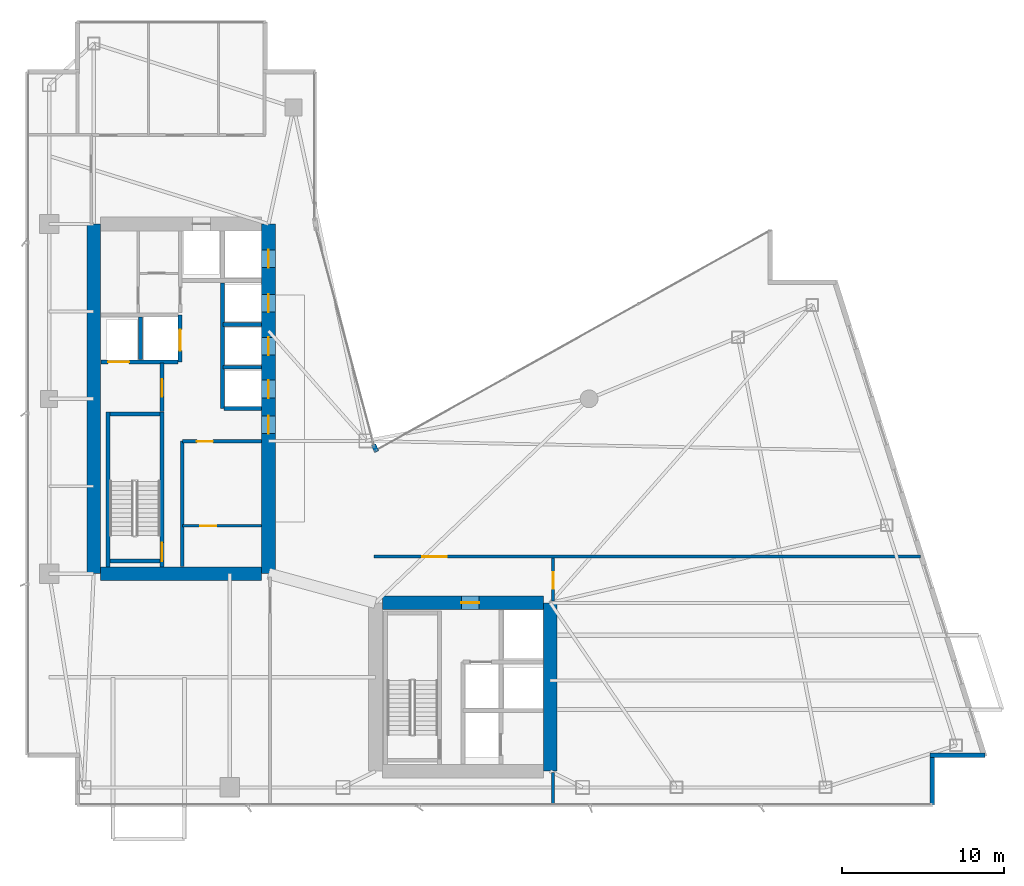
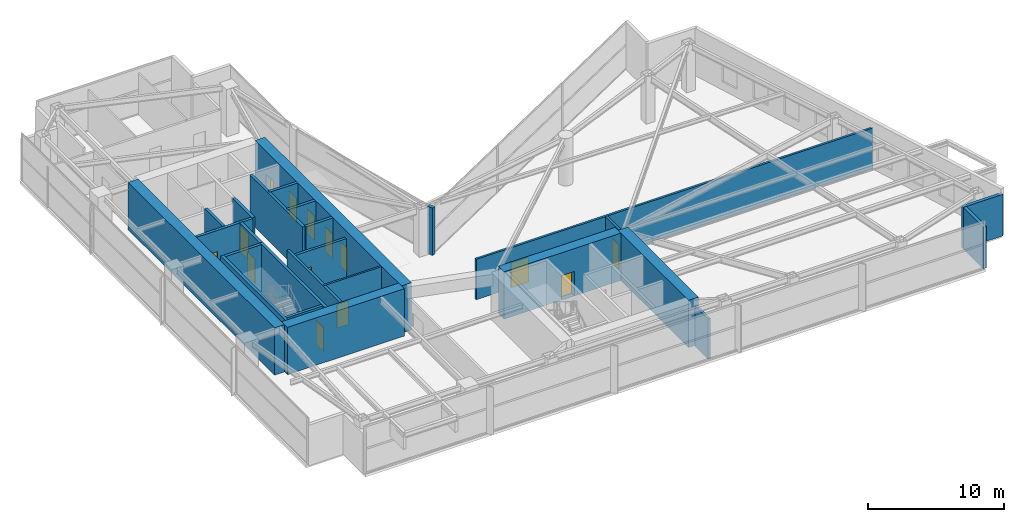
# One storey, part 21 of 26: 26 walls, 14 doors, 14 openings.
"""IFC4 building model written with IfcOpenShell, lengths in metres."""

import ifcopenshell
import ifcopenshell.guid

model = None  # the IFC model being written
_history = None  # IfcOwnerHistory: only IFC2X3 demands one
_inside = {}  # id of a spatial element -> (the spatial element, [elements in it])
_under = {}  # id of a project, library or spatial element -> (it, [spatial elements below it])
_declared = {}  # id of a project -> (the project, [libraries it declares])
_typed = {}  # id of a type object -> (the type object, [elements of that type])
_made_of = {}  # id of a material, layer set ... -> (it, [elements and type objects made of it])


def new_model(schema):
    """Start an empty IFC model of exactly this schema.

    Asked for "IFC4X3", IfcOpenShell would pick the latest addendum, in which some entities
    have other attributes; the version numbers below select the first issue.
    IFC2X3 requires an IfcOwnerHistory on every rooted entity: one is made here for all.
    """
    global model, _history
    if schema == "IFC4X3":
        model = ifcopenshell.file(schema_version=(4, 3, 0, 0))
    else:
        model = ifcopenshell.file(schema=schema)
    _inside.clear()
    _under.clear()
    _declared.clear()
    _typed.clear()
    _made_of.clear()
    _history = None
    if model.schema == "IFC2X3":
        org = make("IfcOrganization", Name="unknown")
        user = make(
            "IfcPersonAndOrganization",
            ThePerson=make("IfcPerson", FamilyName="unknown"),
            TheOrganization=org,
        )
        app = make(
            "IfcApplication",
            ApplicationDeveloper=org,
            Version="unknown",
            ApplicationFullName="unknown",
            ApplicationIdentifier="unknown",
        )
        _history = make(
            "IfcOwnerHistory",
            OwningUser=user,
            OwningApplication=app,
            ChangeAction="ADDED",
            CreationDate=0,
        )
    return model


def make(cls, **values):
    """One entity of the class cls with the attributes given. An attribute that is None is left unset."""
    return model.create_entity(
        cls, **{name: value for name, value in values.items() if value is not None}
    )


def rooted(cls, **values):
    """An entity with a GlobalId (a new one), such as an element, a storey or a relation."""
    return make(cls, GlobalId=ifcopenshell.guid.new(), OwnerHistory=_history, **values)


def si_unit(unit_type, name, prefix=None):
    """IfcSIUnit, for example si_unit("LENGTHUNIT", "METRE", prefix="MILLI")."""
    return make("IfcSIUnit", UnitType=unit_type, Prefix=prefix, Name=name)


def assignment(units):
    """IfcUnitAssignment: the units of a project."""
    return None if units is None else make("IfcUnitAssignment", Units=units)


def point(xyz):
    """IfcCartesianPoint."""
    return None if xyz is None else make("IfcCartesianPoint", Coordinates=xyz)


def direction(xyz):
    """IfcDirection."""
    return None if xyz is None else make("IfcDirection", DirectionRatios=xyz)


def frame(location, z_axis=None, x_axis=None):
    """IfcAxis2Placement3D, a coordinate frame: its origin and axes. An axis left out is left unset."""
    return make(
        "IfcAxis2Placement3D",
        Location=point(location),
        Axis=direction(z_axis),
        RefDirection=direction(x_axis),
    )


def frame_2d(location, x_axis=None):
    """IfcAxis2Placement2D, a coordinate frame in the plane: its origin and x axis."""
    return make(
        "IfcAxis2Placement2D", Location=point(location), RefDirection=direction(x_axis)
    )


def origin():
    """The frame at (0, 0, 0) with its axes left unset."""
    return frame((0.0, 0.0, 0.0))


def place(relative_to, where):
    """IfcLocalPlacement: puts the frame where relative to a parent placement (None: the world)."""
    return make(
        "IfcLocalPlacement", PlacementRelTo=relative_to, RelativePlacement=where
    )


def context(
    kind, dimensions, precision=None, world=None, true_north=None, identifier=None
):
    """IfcGeometricRepresentationContext, for example the 3D "Model" context."""
    return make(
        "IfcGeometricRepresentationContext",
        ContextIdentifier=identifier,
        ContextType=kind,
        CoordinateSpaceDimension=dimensions,
        Precision=precision,
        WorldCoordinateSystem=world,
        TrueNorth=true_north,
    )


def subcontext(parent, identifier, kind, view, scale=None):
    """IfcGeometricRepresentationSubContext, for example "Body" below "Model"."""
    return make(
        "IfcGeometricRepresentationSubContext",
        ContextIdentifier=identifier,
        ContextType=kind,
        ParentContext=parent,
        TargetScale=scale,
        TargetView=view,
    )


def project(units=None, contexts=None):
    """IfcProject with its units and contexts."""
    return rooted(
        "IfcProject",
        Name="project",
        RepresentationContexts=contexts,
        UnitsInContext=assignment(units),
    )


def spatial(cls, under=None, at=None, **own):
    """A site, building, storey or space (cls), placed at a placement, below another one or the project."""
    s = rooted(cls, ObjectPlacement=at, **own)
    if under is not None:
        _under.setdefault(under.id(), (under, []))[1].append(s)
    return s


def profile(cls, at=None, kind="AREA", **sizes):
    """A parametric profile (cls). Its sizes go by their IFC names, for example OverallWidth=200.0."""
    return make(cls, ProfileType=kind, Position=at, **sizes)


def rectangle(**sizes):
    """IfcRectangleProfileDef."""
    return profile("IfcRectangleProfileDef", **sizes)


def extrude(swept, where, along, depth):
    """IfcExtrudedAreaSolid: the profile swept, set in the frame where, extruded along a direction by depth."""
    return make(
        "IfcExtrudedAreaSolid",
        SweptArea=swept,
        Position=where,
        ExtrudedDirection=direction(along),
        Depth=depth,
    )


def shape(context_of_items, identifier, shape_type, items):
    """IfcShapeRepresentation: the items that make up one representation, for example the "Body"."""
    return make(
        "IfcShapeRepresentation",
        ContextOfItems=context_of_items,
        RepresentationIdentifier=identifier,
        RepresentationType=shape_type,
        Items=items,
    )


def material(Name=None, Category=None):
    """IfcMaterial."""
    return make("IfcMaterial", Name=Name, Category=Category)


def layer(
    of_material, thickness, ventilated=None, Name=None, Category=None, Priority=None
):
    """IfcMaterialLayer: one layer of a wall or slab, of a material (None: an air gap)."""
    return make(
        "IfcMaterialLayer",
        Material=of_material,
        LayerThickness=thickness,
        IsVentilated=ventilated,
        Name=Name,
        Category=Category,
        Priority=Priority,
    )


def layer_set(layers, Name=None):
    """IfcMaterialLayerSet."""
    return make("IfcMaterialLayerSet", MaterialLayers=layers, LayerSetName=Name)


def made_of(thing, what):
    """Note that an element or type object is made of a material, layer set ...; save() writes the relation."""
    if what is not None:
        _made_of.setdefault(what.id(), (what, []))[1].append(thing)
    return thing


def type_object(cls, material=None, **own):
    """A type object (cls), such as IfcWallType, which elements share."""
    return made_of(rooted(cls, **own), material)


def element(
    cls,
    number,
    at=None,
    inside=None,
    cuts=None,
    type_object=None,
    material=None,
    context=None,
    identifier="Body",
    shape_type=None,
    held_by="IfcProductDefinitionShape",
    body=None,
    shapes=None,
    **own,
):
    """One element of the class cls, such as IfcWall. Its Tag is "e" and its number.

    at: its placement. inside: the storey or other place that contains it. cuts: it is an
    opening in that element (IfcRelVoidsElement). A single representation is given by context,
    identifier, shape_type and body (its items); several are given by shapes. held_by: the class
    of the entity that holds the representations. save() writes the other relations.
    """
    e = rooted(cls, Tag="e%d" % number, ObjectPlacement=at, **own)
    if body is not None:
        shapes = [shape(context, identifier, shape_type, body)]
    if shapes is not None:
        e.Representation = make(held_by, Representations=shapes)
    if inside is not None:
        _inside.setdefault(inside.id(), (inside, []))[1].append(e)
    if cuts is not None:
        rooted(
            "IfcRelVoidsElement", RelatingBuildingElement=cuts, RelatedOpeningElement=e
        )
    if type_object is not None:
        _typed.setdefault(type_object.id(), (type_object, []))[1].append(e)
    return made_of(e, material)


def fill(opening, filler):
    """IfcRelFillsElement: the door or window that sits in an opening."""
    return rooted(
        "IfcRelFillsElement",
        RelatingOpeningElement=opening,
        RelatedBuildingElement=filler,
    )


def aggregate(whole, parts):
    """IfcRelAggregates: a whole, such as a stair, and the parts it consists of."""
    return rooted("IfcRelAggregates", RelatingObject=whole, RelatedObjects=parts)


def save(model, path):
    """Write the relations noted so far, then the file.

    IfcRelAggregates (storeys below a building ...), IfcRelContainedInSpatialStructure (elements
    in a storey), IfcRelDefinesByType, IfcRelAssociatesMaterial and IfcRelDeclares: one each for
    every whole, place, type object, material and project.
    """
    for whole, parts in _under.values():
        aggregate(whole, parts)
    for where, things in _inside.values():
        rooted(
            "IfcRelContainedInSpatialStructure",
            RelatedElements=things,
            RelatingStructure=where,
        )
    for kind, things in _typed.values():
        rooted("IfcRelDefinesByType", RelatedObjects=things, RelatingType=kind)
    for what, things in _made_of.values():
        rooted("IfcRelAssociatesMaterial", RelatedObjects=things, RelatingMaterial=what)
    for by, libraries in _declared.values():
        rooted("IfcRelDeclares", RelatingContext=by, RelatedDefinitions=libraries)
    model.write(path)


model = new_model("IFC4")

# Units and contexts
model_context = context("Model", 3, precision=1e-05, world=origin(), true_north=direction((0.0, 1.0)))
body_context = subcontext(model_context, "Body", "Model", "MODEL_VIEW")
ifc_project = project(units=[si_unit("LENGTHUNIT", "METRE"), si_unit("AREAUNIT", "SQUARE_METRE"), si_unit("VOLUMEUNIT", "CUBIC_METRE"), si_unit("PLANEANGLEUNIT", "RADIAN"), si_unit("MASSUNIT", "GRAM", prefix="KILO")], contexts=[model_context])

# Site, building, storey
site_placement = place(None, origin())
site = spatial("IfcSite", under=ifc_project, at=site_placement, CompositionType="ELEMENT")
building_placement = place(site_placement, origin())
building = spatial("IfcBuilding", under=site, at=building_placement, Name="Calvorn Quay Hotel", CompositionType="ELEMENT")
storey_placement = place(building_placement, frame((0.0, 0.0, 144.0)))
storey = spatial("IfcBuildingStorey", under=building, at=storey_placement, Name="L35", CompositionType="ELEMENT", Elevation=144.0)

# Wall
ifc_material_1 = material(Name="Concrete C50", Category="concrete")
ifc_layer_1 = layer(ifc_material_1, 0.85009765625)
ifc_layer_set_1 = layer_set([ifc_layer_1], Name="WL-CORE-850")
wall_type_1 = type_object("IfcWallType", Name="WL-CORE-850", PredefinedType="SHEAR", material=ifc_layer_set_1)
wall_1_placement = place(storey_placement, frame((4.199951171875, 16.800048828125, 0.0), z_axis=(0.0, 0.0, 1.0), x_axis=(0.0, 1.0, 0.0)))
element("IfcWall", 1, at=wall_1_placement, inside=storey, type_object=wall_type_1, Name="West Core Shear Wall W (L35)", PredefinedType="SHEAR", context=body_context, shape_type="SweptSolid", body=[
    extrude(rectangle(XDim=21.599853515625, YDim=0.85009765625, at=frame_2d((10.7998046875, 0.0))), origin(), (0.0, 0.0, 1.0), 4.260009765625),
])

# Wall, openings, doors
wall_2_placement = place(storey_placement, frame((15.0, 16.800048828125, 0.0), z_axis=(0.0, 0.0, 1.0), x_axis=(0.0, 1.0, 0.0)))
wall_2 = element("IfcWall", 2, at=wall_2_placement, inside=storey, type_object=wall_type_1, Name="West Core Shear Wall E (L35)", PredefinedType="SHEAR", context=body_context, shape_type="SweptSolid", body=[
    extrude(rectangle(XDim=21.599853515625, YDim=0.85009765625, at=frame_2d((10.7998046875, 0.0))), origin(), (0.0, 0.0, 1.0), 4.260009765625),
])
opening_1_placement = place(wall_2_placement, frame((8.64990234375, 0.0, 0.0)))
opening_1 = element("IfcOpeningElement", 3, at=opening_1_placement, cuts=wall_2, Name="Opening D-L35-CW1", PredefinedType="OPENING", context=body_context, shape_type="SweptSolid", body=[
    extrude(rectangle(XDim=1.10009765625, YDim=2.199951171875, at=frame_2d((0.550048828125, 1.10009765625))), frame((0.0, 0.43505859375, 0.0), z_axis=(0.0, -1.0, 0.0), x_axis=(1.0, 0.0, 0.0)), (0.0, 0.0, 1.0), 0.8701171875),
])
opening_2_placement = place(wall_2_placement, frame((10.85009765625, 0.0, 0.0)))
opening_2 = element("IfcOpeningElement", 4, at=opening_2_placement, cuts=wall_2, Name="Opening LD-L35-M1", PredefinedType="OPENING", context=body_context, shape_type="SweptSolid", body=[
    extrude(rectangle(XDim=1.10009765625, YDim=2.199951171875, at=frame_2d((0.550048828125, 1.10009765625))), frame((0.0, 0.43505859375, 0.0), z_axis=(0.0, -1.0, 0.0), x_axis=(1.0, 0.0, 0.0)), (0.0, 0.0, 1.0), 0.8701171875),
])
opening_3_placement = place(wall_2_placement, frame((13.5, 0.0, 0.0)))
opening_3 = element("IfcOpeningElement", 5, at=opening_3_placement, cuts=wall_2, Name="Opening LD-L35-M2", PredefinedType="OPENING", context=body_context, shape_type="SweptSolid", body=[
    extrude(rectangle(XDim=1.10009765625, YDim=2.199951171875, at=frame_2d((0.550048828125, 1.10009765625))), frame((0.0, 0.43505859375, 0.0), z_axis=(0.0, -1.0, 0.0), x_axis=(1.0, 0.0, 0.0)), (0.0, 0.0, 1.0), 0.8701171875),
])
opening_4_placement = place(wall_2_placement, frame((16.14990234375, 0.0, 0.0)))
opening_4 = element("IfcOpeningElement", 6, at=opening_4_placement, cuts=wall_2, Name="Opening LD-L35-M3", PredefinedType="OPENING", context=body_context, shape_type="SweptSolid", body=[
    extrude(rectangle(XDim=1.10009765625, YDim=2.199951171875, at=frame_2d((0.550048828125, 1.10009765625))), frame((0.0, 0.43505859375, 0.0), z_axis=(0.0, -1.0, 0.0), x_axis=(1.0, 0.0, 0.0)), (0.0, 0.0, 1.0), 0.8701171875),
])
opening_5_placement = place(wall_2_placement, frame((18.89990234375, 0.0, 0.0)))
opening_5 = element("IfcOpeningElement", 7, at=opening_5_placement, cuts=wall_2, Name="Opening LD-L35-H1", PredefinedType="OPENING", context=body_context, shape_type="SweptSolid", body=[
    extrude(rectangle(XDim=1.10009765625, YDim=2.199951171875, at=frame_2d((0.550048828125, 1.10009765625))), frame((0.0, 0.43505859375, 0.0), z_axis=(0.0, -1.0, 0.0), x_axis=(1.0, 0.0, 0.0)), (0.0, 0.0, 1.0), 0.8701171875),
])
ifc_material_2 = material(Name="Smoke-Sealed Steel Class A Fire Door", Category="steel")
door_type_1 = type_object("IfcDoorType", Name="DR-FFLOBBY-1100", OperationType="NOTDEFINED", PredefinedType="DOOR", material=ifc_material_2)
door_1_placement = place(opening_1_placement, origin())
door_1 = element("IfcDoor", 8, at=door_1_placement, inside=storey, type_object=door_type_1, Name="West Core Vestibule Fire Door (L35)", OperationType="SINGLE_SWING_RIGHT", OverallHeight=2.199951171875, OverallWidth=1.10009765625, PredefinedType="DOOR", context=body_context, shape_type="SweptSolid", body=[
    extrude(rectangle(XDim=1.10009765625, YDim=2.199951171875, at=frame_2d((0.550048828125, 1.10009765625))), frame((0.0, 0.02490234375, 0.0), z_axis=(0.0, -1.0, 0.0), x_axis=(1.0, 0.0, 0.0)), (0.0, 0.0, 1.0), 0.050048828125),
])
fill(opening_1, door_1)
ifc_material_3 = material(Name="Brushed Stainless Steel Sliding Lift Landing Door", Category="steel")
door_type_2 = type_object("IfcDoorType", Name="DR-LIFT-PASS-1100", OperationType="NOTDEFINED", PredefinedType="DOOR", material=ifc_material_3)
door_2_placement = place(opening_2_placement, origin())
door_2 = element("IfcDoor", 9, at=door_2_placement, inside=storey, type_object=door_type_2, Name="Mid-Rise Lift PL-M1 Landing Door (L35)", OperationType="DOUBLE_DOOR_SLIDING", OverallHeight=2.199951171875, OverallWidth=1.10009765625, PredefinedType="DOOR", context=body_context, shape_type="SweptSolid", body=[
    extrude(rectangle(XDim=1.10009765625, YDim=2.199951171875, at=frame_2d((0.550048828125, 1.10009765625))), frame((0.0, 0.02490234375, 0.0), z_axis=(0.0, -1.0, 0.0), x_axis=(1.0, 0.0, 0.0)), (0.0, 0.0, 1.0), 0.050048828125),
])
fill(opening_2, door_2)
door_3_placement = place(opening_3_placement, origin())
door_3 = element("IfcDoor", 10, at=door_3_placement, inside=storey, type_object=door_type_2, Name="Mid-Rise Lift PL-M2 Landing Door (L35)", OperationType="DOUBLE_DOOR_SLIDING", OverallHeight=2.199951171875, OverallWidth=1.10009765625, PredefinedType="DOOR", context=body_context, shape_type="SweptSolid", body=[
    extrude(rectangle(XDim=1.10009765625, YDim=2.199951171875, at=frame_2d((0.550048828125, 1.10009765625))), frame((0.0, 0.02490234375, 0.0), z_axis=(0.0, -1.0, 0.0), x_axis=(1.0, 0.0, 0.0)), (0.0, 0.0, 1.0), 0.050048828125),
])
fill(opening_3, door_3)
door_4_placement = place(opening_4_placement, origin())
door_4 = element("IfcDoor", 11, at=door_4_placement, inside=storey, type_object=door_type_2, Name="Mid-Rise Lift PL-M3 Landing Door (L35)", OperationType="DOUBLE_DOOR_SLIDING", OverallHeight=2.199951171875, OverallWidth=1.10009765625, PredefinedType="DOOR", context=body_context, shape_type="SweptSolid", body=[
    extrude(rectangle(XDim=1.10009765625, YDim=2.199951171875, at=frame_2d((0.550048828125, 1.10009765625))), frame((0.0, 0.02490234375, 0.0), z_axis=(0.0, -1.0, 0.0), x_axis=(1.0, 0.0, 0.0)), (0.0, 0.0, 1.0), 0.050048828125),
])
fill(opening_4, door_4)
door_5_placement = place(opening_5_placement, origin())
door_5 = element("IfcDoor", 12, at=door_5_placement, inside=storey, type_object=door_type_2, Name="High-Rise Lift PL-H1 Landing Door (L35)", OperationType="DOUBLE_DOOR_SLIDING", OverallHeight=2.199951171875, OverallWidth=1.10009765625, PredefinedType="DOOR", context=body_context, shape_type="SweptSolid", body=[
    extrude(rectangle(XDim=1.10009765625, YDim=2.199951171875, at=frame_2d((0.550048828125, 1.10009765625))), frame((0.0, 0.02490234375, 0.0), z_axis=(0.0, -1.0, 0.0), x_axis=(1.0, 0.0, 0.0)), (0.0, 0.0, 1.0), 0.050048828125),
])
fill(opening_5, door_5)

# Walls
wall_3_placement = place(storey_placement, frame((4.625, 16.800048828125, 0.0), z_axis=(0.0, 0.0, 1.0), x_axis=(1.0, 0.0, 0.0)))
element("IfcWall", 13, at=wall_3_placement, inside=storey, type_object=wall_type_1, Name="West Core Shear Wall S (L35)", PredefinedType="SHEAR", context=body_context, shape_type="SweptSolid", body=[
    extrude(rectangle(XDim=9.949951171875, YDim=0.85009765625, at=frame_2d((4.97509765625, 0.0))), origin(), (0.0, 0.0, 1.0), 4.260009765625),
])
wall_4_placement = place(storey_placement, frame((32.39990234375, 4.60009765625, 0.0), z_axis=(0.0, 0.0, 1.0), x_axis=(0.0, 1.0, 0.0)))
element("IfcWall", 14, at=wall_4_placement, inside=storey, type_object=wall_type_1, Name="East Core Shear Wall E (L35)", PredefinedType="SHEAR", context=body_context, shape_type="SweptSolid", body=[
    extrude(rectangle(XDim=10.39990234375, YDim=0.85009765625, at=frame_2d((5.199951171875, 0.0))), origin(), (0.0, 0.0, 1.0), 4.260009765625),
])

# Wall, opening, door
wall_5_placement = place(storey_placement, frame((22.02490234375, 15.0, 0.0), z_axis=(0.0, 0.0, 1.0), x_axis=(1.0, 0.0, 0.0)))
wall_5 = element("IfcWall", 15, at=wall_5_placement, inside=storey, type_object=wall_type_1, Name="East Core Shear Wall N (L35)", PredefinedType="SHEAR", context=body_context, shape_type="SweptSolid", body=[
    extrude(rectangle(XDim=9.9501953125, YDim=0.85009765625, at=frame_2d((4.97509765625, 0.0))), origin(), (0.0, 0.0, 1.0), 4.260009765625),
])
opening_6_placement = place(wall_5_placement, frame((4.8798828125, 0.0, 0.0)))
opening_6 = element("IfcOpeningElement", 16, at=opening_6_placement, cuts=wall_5, Name="Opening D-L35-FLE", PredefinedType="OPENING", context=body_context, shape_type="SweptSolid", body=[
    extrude(rectangle(XDim=1.10009765625, YDim=2.199951171875, at=frame_2d((0.550048828125, 1.10009765625))), frame((0.0, 0.43505859375, 0.0), z_axis=(0.0, -1.0, 0.0), x_axis=(1.0, 0.0, 0.0)), (0.0, 0.0, 1.0), 0.8701171875),
])
door_6_placement = place(opening_6_placement, origin())
door_6 = element("IfcDoor", 17, at=door_6_placement, inside=storey, type_object=door_type_1, Name="East Firefighting Lobby Fire Door (L35)", OperationType="SINGLE_SWING_LEFT", OverallHeight=2.199951171875, OverallWidth=1.10009765625, PredefinedType="DOOR", context=body_context, shape_type="SweptSolid", body=[
    extrude(rectangle(XDim=1.10009765625, YDim=2.199951171875, at=frame_2d((0.550048828125, 1.10009765625))), frame((0.0, 0.02490234375, 0.0), z_axis=(0.0, -1.0, 0.0), x_axis=(1.0, 0.0, 0.0)), (0.0, 0.0, 1.0), 0.050048828125),
])
fill(opening_6, door_6)

ifc_material_4 = material(Name="Acoustic Fireboard Steel-Stud Partition", Category="steel")
ifc_layer_2 = layer(ifc_material_4, 0.179931640625)
ifc_layer_set_2 = layer_set([ifc_layer_2], Name="WL-CORR-FIRE-180")
wall_type_2 = type_object("IfcWallType", Name="WL-CORR-FIRE-180", PredefinedType="PARTITIONING", material=ifc_layer_set_2)
wall_6_placement = place(storey_placement, frame((21.5, 17.85009765625, 0.0), z_axis=(0.0, 0.0, 1.0), x_axis=(1.0, 0.0, 0.0)))
wall_6 = element("IfcWall", 18, at=wall_6_placement, inside=storey, type_object=wall_type_2, Name="Partition Wall L35-WL-SK-SE-N", PredefinedType="PARTITIONING", context=body_context, shape_type="SweptSolid", body=[
    extrude(rectangle(XDim=33.780029296875, YDim=0.179931640625, at=frame_2d((16.89013671875, 0.0))), origin(), (0.0, 0.0, 1.0), 3.639892578125),
])
opening_7_placement = place(wall_6_placement, frame((3.0, 0.0, 0.0)))
opening_7 = element("IfcOpeningElement", 19, at=opening_7_placement, cuts=wall_6, Name="Opening D-L35-A2", PredefinedType="OPENING", context=body_context, shape_type="SweptSolid", body=[
    extrude(rectangle(XDim=1.5, YDim=2.219970703125, at=frame_2d((0.75, 1.10986328125))), frame((0.0, 0.099853515625, 0.0), z_axis=(0.0, -1.0, 0.0), x_axis=(1.0, 0.0, 0.0)), (0.0, 0.0, 1.0), 0.199951171875),
])
ifc_material_5 = material(Name="Solid-Core Walnut Double Suite Entry Door")
door_type_3 = type_object("IfcDoorType", Name="DR-SUITE-DBL-1500", OperationType="NOTDEFINED", PredefinedType="DOOR", material=ifc_material_5)
door_7_placement = place(opening_7_placement, origin())
door_7 = element("IfcDoor", 20, at=door_7_placement, inside=storey, type_object=door_type_3, Name="North Gallery Door", OperationType="SINGLE_SWING_LEFT", OverallHeight=2.219970703125, OverallWidth=1.5, PredefinedType="DOOR", context=body_context, shape_type="SweptSolid", body=[
    extrude(rectangle(XDim=1.5, YDim=2.219970703125, at=frame_2d((0.75, 1.10986328125))), frame((0.0, 0.02490234375, 0.0), z_axis=(0.0, -1.0, 0.0), x_axis=(1.0, 0.0, 0.0)), (0.0, 0.0, 1.0), 0.050048828125),
])
fill(opening_7, door_7)

wall_7_placement = place(storey_placement, frame((32.580078125, 15.1201171875, 0.0), z_axis=(0.0, 0.0, 1.0), x_axis=(0.0, 1.0, 0.0)))
wall_7 = element("IfcWall", 21, at=wall_7_placement, inside=storey, type_object=wall_type_2, Name="Partition Wall L35-WL-SK-SE-W", PredefinedType="PARTITIONING", context=body_context, shape_type="SweptSolid", body=[
    extrude(rectangle(XDim=2.659912109375, YDim=0.179931640625, at=frame_2d((1.330078125, 0.0))), origin(), (0.0, 0.0, 1.0), 3.639892578125),
])
opening_8_placement = place(wall_7_placement, frame((0.75, 0.0, 0.0)))
opening_8 = element("IfcOpeningElement", 22, at=opening_8_placement, cuts=wall_7, Name="Opening D-L35-A3", PredefinedType="OPENING", context=body_context, shape_type="SweptSolid", body=[
    extrude(rectangle(XDim=1.02001953125, YDim=2.199951171875, at=frame_2d((0.510009765625, 1.10009765625))), frame((0.0, 0.099853515625, 0.0), z_axis=(0.0, -1.0, 0.0), x_axis=(1.0, 0.0, 0.0)), (0.0, 0.0, 1.0), 0.199951171875),
])
ifc_material_6 = material(Name="Solid-Core Walnut Veneer Hotel Fire Door")
door_type_4 = type_object("IfcDoorType", Name="DR-GUEST-ENTRY-1020", OperationType="NOTDEFINED", PredefinedType="DOOR", material=ifc_material_6)
door_8_placement = place(opening_8_placement, origin())
door_8 = element("IfcDoor", 23, at=door_8_placement, inside=storey, type_object=door_type_4, Name="East Lounge Door", OperationType="SINGLE_SWING_RIGHT", OverallHeight=2.199951171875, OverallWidth=1.02001953125, PredefinedType="DOOR", context=body_context, shape_type="SweptSolid", body=[
    extrude(rectangle(XDim=1.02001953125, YDim=2.199951171875, at=frame_2d((0.510009765625, 1.10009765625))), frame((0.0, 0.02490234375, 0.0), z_axis=(0.0, -1.0, 0.0), x_axis=(1.0, 0.0, 0.0)), (0.0, 0.0, 1.0), 0.050048828125),
])
fill(opening_8, door_8)

# Walls
wall_8_placement = place(storey_placement, frame((32.580078125, 2.60009765625, 0.0), z_axis=(0.0, 0.0, 1.0), x_axis=(0.0, 1.0, 0.0)))
element("IfcWall", 24, at=wall_8_placement, inside=storey, type_object=wall_type_2, Name="Partition Wall L35-WL-SK-SE-WS", PredefinedType="PARTITIONING", context=body_context, shape_type="SweptSolid", body=[
    extrude(rectangle(XDim=1.919921875, YDim=0.179931640625, at=frame_2d((0.9599609375, 0.0))), origin(), (0.0, 0.0, 1.0), 3.639892578125),
])
ifc_material_7 = material(Name="Concrete C40", Category="concrete")
ifc_layer_3 = layer(ifc_material_7, 0.320068359375)
ifc_layer_set_3 = layer_set([ifc_layer_3], Name="WL-EXT-SPANDREL-320")
wall_type_3 = type_object("IfcWallType", Name="WL-EXT-SPANDREL-320", PredefinedType="SOLIDWALL", material=ifc_layer_set_3)
wall_9_placement = place(storey_placement, frame((21.679931640625, 24.340087890625, 0.0), z_axis=(0.0, 0.0, 1.0), x_axis=(-0.40758134973, 0.913168901875, 0.0)))
element("IfcWall", 25, at=wall_9_placement, inside=storey, type_object=wall_type_3, Name="Inner Court Corner Pier L35-ICJ1", PredefinedType="SOLIDWALL", context=body_context, shape_type="SweptSolid", body=[
    extrude(rectangle(XDim=0.470703125, YDim=0.280029296875, at=frame_2d((0.2353515625, 0.0))), origin(), (0.0, 0.0, 1.0), 4.260009765625),
])
wall_10_placement = place(storey_placement, frame((56.0, 2.52001953125, 0.0), z_axis=(0.0, 0.0, 1.0), x_axis=(0.0, 1.0, 0.0)))
element("IfcWall", 26, at=wall_10_placement, inside=storey, type_object=wall_type_3, Name="Notched Corner Spandrel L35-SE1", PredefinedType="SOLIDWALL", context=body_context, shape_type="SweptSolid", body=[
    extrude(rectangle(XDim=2.93994140625, YDim=0.280029296875, at=frame_2d((1.469970703125, 0.0))), origin(), (0.0, 0.0, 1.0), 3.739990234375),
])
wall_11_placement = place(storey_placement, frame((55.860107421875, 5.60009765625, 0.0), z_axis=(0.0, 0.0, 1.0), x_axis=(1.0, 0.0, 0.0)))
element("IfcWall", 27, at=wall_11_placement, inside=storey, type_object=wall_type_3, Name="Notched Corner Spandrel L35-SE2", PredefinedType="SOLIDWALL", context=body_context, shape_type="SweptSolid", body=[
    extrude(rectangle(XDim=3.3798828125, YDim=0.280029296875, at=frame_2d((1.68994140625, 0.0))), origin(), (0.0, 0.0, 1.0), 3.739990234375),
])

# Wall, opening, door
ifc_material_8 = material(Name="Double-Stud Acoustic Gypsum Partition")
ifc_layer_4 = layer(ifc_material_8, 0.159912109375)
ifc_layer_set_4 = layer_set([ifc_layer_4], Name="WL-INTERSUITE-160")
wall_type_4 = type_object("IfcWallType", Name="WL-INTERSUITE-160", PredefinedType="PARTITIONING", material=ifc_layer_set_4)
wall_12_placement = place(storey_placement, frame((9.679931640625, 19.75, 0.0), z_axis=(0.0, 0.0, 1.0), x_axis=(1.0, 0.0, 0.0)))
wall_12 = element("IfcWall", 28, at=wall_12_placement, inside=storey, type_object=wall_type_4, Name="Partition Wall L35-WL-CWW-FR-SPLIT", PredefinedType="PARTITIONING", context=body_context, shape_type="SweptSolid", body=[
    extrude(rectangle(XDim=4.875, YDim=0.159912109375, at=frame_2d((2.4375, 0.0))), origin(), (0.0, 0.0, 1.0), 4.260009765625),
])
opening_9_placement = place(wall_12_placement, frame((1.10009765625, 0.0, 0.0)))
opening_9 = element("IfcOpeningElement", 29, at=opening_9_placement, cuts=wall_12, Name="Opening D-L35-FRL1", PredefinedType="OPENING", context=body_context, shape_type="SweptSolid", body=[
    extrude(rectangle(XDim=0.97998046875, YDim=2.14990234375, at=frame_2d((0.489990234375, 1.074951171875))), frame((0.0, 0.08984375, 0.0), z_axis=(0.0, -1.0, 0.0), x_axis=(1.0, 0.0, 0.0)), (0.0, 0.0, 1.0), 0.179931640625),
])
ifc_material_9 = material(Name="Painted Steel Housekeeping/Riser Fire Door", Category="steel")
door_type_5 = type_object("IfcDoorType", Name="DR-SERVICE-980", OperationType="NOTDEFINED", PredefinedType="DOOR", material=ifc_material_9)
door_9_placement = place(opening_9_placement, origin())
door_9 = element("IfcDoor", 30, at=door_9_placement, inside=storey, type_object=door_type_5, Name="Linen Store Room Door (L35)", OperationType="SINGLE_SWING_LEFT", OverallHeight=2.14990234375, OverallWidth=0.97998046875, PredefinedType="DOOR", context=body_context, shape_type="SweptSolid", body=[
    extrude(rectangle(XDim=0.97998046875, YDim=2.14990234375, at=frame_2d((0.489990234375, 1.074951171875))), frame((0.0, 0.02490234375, 0.0), z_axis=(0.0, -1.0, 0.0), x_axis=(1.0, 0.0, 0.0)), (0.0, 0.0, 1.0), 0.050048828125),
])
fill(opening_9, door_9)

# Wall
ifc_material_10 = material(Name="Autoclaved Aerated Masonry Block", Category="masonry")
ifc_layer_5 = layer(ifc_material_10, 0.219970703125)
ifc_layer_set_5 = layer_set([ifc_layer_5], Name="WL-LOBBY-FIRE-220")
wall_type_5 = type_object("IfcWallType", Name="WL-LOBBY-FIRE-220", PredefinedType="SOLIDWALL", material=ifc_layer_set_5)
wall_13_placement = place(storey_placement, frame((9.679931640625, 17.2451171875, 0.0), z_axis=(0.0, 0.0, 1.0), x_axis=(0.0, 1.0, 0.0)))
element("IfcWall", 31, at=wall_13_placement, inside=storey, type_object=wall_type_5, Name="Partition Wall L35-WL-CWW-STW-HALL-E", PredefinedType="SOLIDWALL", context=body_context, shape_type="SweptSolid", body=[
    extrude(rectangle(XDim=7.7548828125, YDim=0.219970703125, at=frame_2d((3.87744140625, 0.0))), origin(), (0.0, 0.0, 1.0), 4.260009765625),
])

# Wall, opening, door
wall_14_placement = place(storey_placement, frame((9.679931640625, 24.969970703125, 0.0), z_axis=(0.0, 0.0, 1.0), x_axis=(1.0, 0.0, 0.0)))
wall_14 = element("IfcWall", 32, at=wall_14_placement, inside=storey, type_object=wall_type_5, Name="Partition Wall L35-WL-CWW-FR-N", PredefinedType="SOLIDWALL", context=body_context, shape_type="SweptSolid", body=[
    extrude(rectangle(XDim=4.875, YDim=0.219970703125, at=frame_2d((2.4375, 0.0))), origin(), (0.0, 0.0, 1.0), 3.639892578125),
])
opening_10_placement = place(wall_14_placement, frame((0.89990234375, 0.0, 0.0)))
opening_10 = element("IfcOpeningElement", 33, at=opening_10_placement, cuts=wall_14, Name="Opening D-L35-FRL2", PredefinedType="OPENING", context=body_context, shape_type="SweptSolid", body=[
    extrude(rectangle(XDim=0.97998046875, YDim=2.14990234375, at=frame_2d((0.489990234375, 1.074951171875))), frame((0.0, 0.119873046875, 0.0), z_axis=(0.0, -1.0, 0.0), x_axis=(1.0, 0.0, 0.0)), (0.0, 0.0, 1.0), 0.239990234375),
])
door_10_placement = place(opening_10_placement, origin())
door_10 = element("IfcDoor", 34, at=door_10_placement, inside=storey, type_object=door_type_5, Name="Beverage Pantry Door (L35)", OperationType="SINGLE_SWING_RIGHT", OverallHeight=2.14990234375, OverallWidth=0.97998046875, PredefinedType="DOOR", context=body_context, shape_type="SweptSolid", body=[
    extrude(rectangle(XDim=0.97998046875, YDim=2.14990234375, at=frame_2d((0.489990234375, 1.074951171875))), frame((0.0, 0.02490234375, 0.0), z_axis=(0.0, -1.0, 0.0), x_axis=(1.0, 0.0, 0.0)), (0.0, 0.0, 1.0), 0.050048828125),
])
fill(opening_10, door_10)

# Wall
ifc_material_11 = material(Name="Concrete C40", Category="concrete")
ifc_layer_6 = layer(ifc_material_11, 0.239990234375)
ifc_layer_set_6 = layer_set([ifc_layer_6], Name="WL-SHAFT-240")
wall_type_6 = type_object("IfcWallType", Name="WL-SHAFT-240", PredefinedType="SOLIDWALL", material=ifc_layer_set_6)
wall_15_placement = place(storey_placement, frame((5.080078125, 17.22509765625, 0.0), z_axis=(0.0, 0.0, 1.0), x_axis=(0.0, 1.0, 0.0)))
element("IfcWall", 35, at=wall_15_placement, inside=storey, type_object=wall_type_6, Name="Stair STW Shaft Wall W (L35)", PredefinedType="SOLIDWALL", context=body_context, shape_type="SweptSolid", body=[
    extrude(rectangle(XDim=9.56494140625, YDim=0.239990234375, at=frame_2d((4.782470703125, 0.0))), origin(), (0.0, 0.0, 1.0), 4.260009765625),
])

# Wall, opening, door
wall_16_placement = place(storey_placement, frame((8.419921875, 17.22509765625, 0.0), z_axis=(0.0, 0.0, 1.0), x_axis=(0.0, 1.0, 0.0)))
wall_16 = element("IfcWall", 36, at=wall_16_placement, inside=storey, type_object=wall_type_6, Name="Stair STW Shaft Wall E (L35)", PredefinedType="SOLIDWALL", context=body_context, shape_type="SweptSolid", body=[
    extrude(rectangle(XDim=9.56494140625, YDim=0.239990234375, at=frame_2d((4.782470703125, 0.0))), origin(), (0.0, 0.0, 1.0), 4.260009765625),
])
opening_11_placement = place(wall_16_placement, frame((0.35009765625, 0.0, 0.0)))
opening_11 = element("IfcOpeningElement", 37, at=opening_11_placement, cuts=wall_16, Name="Opening D-L35-STW", PredefinedType="OPENING", context=body_context, shape_type="SweptSolid", body=[
    extrude(rectangle(XDim=1.14990234375, YDim=2.199951171875, at=frame_2d((0.574951171875, 1.10009765625))), frame((0.0, 0.1298828125, 0.0), z_axis=(0.0, -1.0, 0.0), x_axis=(1.0, 0.0, 0.0)), (0.0, 0.0, 1.0), 0.260009765625),
])
ifc_material_12 = material(Name="Galvanised Steel Class A Fire Door", Category="steel")
door_type_6 = type_object("IfcDoorType", Name="DR-STAIR-SMOKE-1150", OperationType="NOTDEFINED", PredefinedType="DOOR", material=ifc_material_12)
door_11_placement = place(opening_11_placement, origin())
door_11 = element("IfcDoor", 38, at=door_11_placement, inside=storey, type_object=door_type_6, Name="Stair ST-W Fire Door (L35)", OperationType="SINGLE_SWING_LEFT", OverallHeight=2.199951171875, OverallWidth=1.14990234375, PredefinedType="DOOR", context=body_context, shape_type="SweptSolid", body=[
    extrude(rectangle(XDim=1.14990234375, YDim=2.199951171875, at=frame_2d((0.574951171875, 1.10009765625))), frame((0.0, 0.02490234375, 0.0), z_axis=(0.0, -1.0, 0.0), x_axis=(1.0, 0.0, 0.0)), (0.0, 0.0, 1.0), 0.050048828125),
])
fill(opening_11, door_11)

# Walls
for number, where, z_axis, x_axis, name in (
    (39, (5.199951171875, 17.580078125, 0.0), (0.0, 0.0, 1.0), (1.0, 0.0, 0.0), "Stair STW Shaft Wall S (L35)"),
    (40, (5.199951171875, 26.669921875, 0.0), (0.0, 0.0, 1.0), (1.0, 0.0, 0.0), "Stair STW Shaft Wall N (L35)"),
):
    element("IfcWall", number, at=place(storey_placement, frame(where, z_axis=z_axis, x_axis=x_axis)), inside=storey, type_object=wall_type_6, Name=name, PredefinedType="SOLIDWALL", context=body_context, shape_type="SweptSolid", body=[
        extrude(rectangle(XDim=3.10009765625, YDim=0.239990234375, at=frame_2d((1.550048828125, 0.0))), origin(), (0.0, 0.0, 1.0), 4.260009765625),
    ])
for number, where, z_axis, x_axis, name in (
    (41, (12.179931640625, 29.550048828125, 0.0), (0.0, 0.0, 1.0), (1.0, 0.0, 0.0), "Lift Hoistway Divider Wall PLM12 (L35)"),
    (42, (12.179931640625, 32.199951171875, 0.0), (0.0, 0.0, 1.0), (1.0, 0.0, 0.0), "Lift Hoistway Divider Wall PLM23 (L35)"),
):
    element("IfcWall", number, at=place(storey_placement, frame(where, z_axis=z_axis, x_axis=x_axis)), inside=storey, type_object=wall_type_6, Name=name, PredefinedType="SOLIDWALL", context=body_context, shape_type="SweptSolid", body=[
        extrude(rectangle(XDim=2.39501953125, YDim=0.239990234375, at=frame_2d((1.197509765625, 0.0))), origin(), (0.0, 0.0, 1.0), 4.260009765625),
    ])

# Wall, opening, door
wall_17_placement = place(storey_placement, frame((8.419921875, 26.820068359375, 0.0), z_axis=(0.0, 0.0, 1.0), x_axis=(0.0, 1.0, 0.0)))
wall_17 = element("IfcWall", 43, at=wall_17_placement, inside=storey, type_object=wall_type_6, Name="Partition Wall L35-WL-CWW-FFL-E", PredefinedType="SOLIDWALL", context=body_context, shape_type="SweptSolid", body=[
    extrude(rectangle(XDim=3.0, YDim=0.239990234375, at=frame_2d((1.5, 0.0))), origin(), (0.0, 0.0, 1.0), 4.260009765625),
])
opening_12_placement = place(wall_17_placement, frame((0.89990234375, 0.0, 0.0)))
opening_12 = element("IfcOpeningElement", 44, at=opening_12_placement, cuts=wall_17, Name="Opening D-L35-FLW", PredefinedType="OPENING", context=body_context, shape_type="SweptSolid", body=[
    extrude(rectangle(XDim=1.10009765625, YDim=2.199951171875, at=frame_2d((0.550048828125, 1.10009765625))), frame((0.0, 0.1298828125, 0.0), z_axis=(0.0, -1.0, 0.0), x_axis=(1.0, 0.0, 0.0)), (0.0, 0.0, 1.0), 0.260009765625),
])
door_12_placement = place(opening_12_placement, origin())
door_12 = element("IfcDoor", 45, at=door_12_placement, inside=storey, type_object=door_type_1, Name="West Firefighting Lobby Fire Door (L35)", OperationType="SINGLE_SWING_RIGHT", OverallHeight=2.199951171875, OverallWidth=1.10009765625, PredefinedType="DOOR", context=body_context, shape_type="SweptSolid", body=[
    extrude(rectangle(XDim=1.10009765625, YDim=2.199951171875, at=frame_2d((0.550048828125, 1.10009765625))), frame((0.0, 0.02490234375, 0.0), z_axis=(0.0, -1.0, 0.0), x_axis=(1.0, 0.0, 0.0)), (0.0, 0.0, 1.0), 0.050048828125),
])
fill(opening_12, door_12)

wall_18_placement = place(storey_placement, frame((4.64501953125, 29.8798828125, 0.0), z_axis=(0.0, 0.0, 1.0), x_axis=(1.0, 0.0, 0.0)))
wall_18 = element("IfcWall", 46, at=wall_18_placement, inside=storey, type_object=wall_type_6, Name="Partition Wall L35-WL-CWW-FLW-S", PredefinedType="SOLIDWALL", context=body_context, shape_type="SweptSolid", body=[
    extrude(rectangle(XDim=4.77490234375, YDim=0.239990234375, at=frame_2d((2.387451171875, 0.0))), origin(), (0.0, 0.0, 1.0), 4.260009765625),
])
opening_13_placement = place(wall_18_placement, frame((0.449951171875, 0.0, 0.0)))
opening_13 = element("IfcOpeningElement", 47, at=opening_13_placement, cuts=wall_18, Name="Opening LD-L35-FLW1", PredefinedType="OPENING", context=body_context, shape_type="SweptSolid", body=[
    extrude(rectangle(XDim=1.300048828125, YDim=2.35009765625, at=frame_2d((0.64990234375, 1.175048828125))), frame((0.0, 0.1298828125, 0.0), z_axis=(0.0, -1.0, 0.0), x_axis=(1.0, 0.0, 0.0)), (0.0, 0.0, 1.0), 0.260009765625),
])
ifc_material_13 = material(Name="Champagne-Bronze Sliding Express Lift Landing Door")
door_type_7 = type_object("IfcDoorType", Name="DR-LIFT-SHUTTLE-1300", OperationType="NOTDEFINED", PredefinedType="DOOR", material=ifc_material_13)
door_13_placement = place(opening_13_placement, origin())
door_13 = element("IfcDoor", 48, at=door_13_placement, inside=storey, type_object=door_type_7, Name="Firefighting Lift FL-W1 Landing Door (L35)", OperationType="DOUBLE_DOOR_SLIDING", OverallHeight=2.35009765625, OverallWidth=1.300048828125, PredefinedType="DOOR", context=body_context, shape_type="SweptSolid", body=[
    extrude(rectangle(XDim=1.300048828125, YDim=2.35009765625, at=frame_2d((0.64990234375, 1.175048828125))), frame((0.0, 0.02490234375, 0.0), z_axis=(0.0, -1.0, 0.0), x_axis=(1.0, 0.0, 0.0)), (0.0, 0.0, 1.0), 0.050048828125),
])
fill(opening_13, door_13)

# Wall
wall_19_placement = place(storey_placement, frame((7.10009765625, 30.02001953125, 0.0), z_axis=(0.0, 0.0, 1.0), x_axis=(0.0, 1.0, 0.0)))
element("IfcWall", 49, at=wall_19_placement, inside=storey, type_object=wall_type_6, Name="Partition Wall L35-WL-CWW-FLW-DIV", PredefinedType="SOLIDWALL", context=body_context, shape_type="SweptSolid", body=[
    extrude(rectangle(XDim=2.6298828125, YDim=0.239990234375, at=frame_2d((1.31494140625, 0.0))), origin(), (0.0, 0.0, 1.0), 4.260009765625),
])

# Wall, opening, door
wall_20_placement = place(storey_placement, frame((9.5400390625, 29.8798828125, 0.0), z_axis=(0.0, 0.0, 1.0), x_axis=(0.0, 1.0, 0.0)))
wall_20 = element("IfcWall", 50, at=wall_20_placement, inside=storey, type_object=wall_type_6, Name="Partition Wall L35-WL-CWW-SLW-E", PredefinedType="SOLIDWALL", context=body_context, shape_type="SweptSolid", body=[
    extrude(rectangle(XDim=2.900146484375, YDim=0.239990234375, at=frame_2d((1.4501953125, 0.0))), origin(), (0.0, 0.0, 1.0), 4.260009765625),
])
opening_14_placement = place(wall_20_placement, frame((0.699951171875, 0.0, 0.0)))
opening_14 = element("IfcOpeningElement", 51, at=opening_14_placement, cuts=wall_20, Name="Opening LD-L35-SLW1", PredefinedType="OPENING", context=body_context, shape_type="SweptSolid", body=[
    extrude(rectangle(XDim=1.300048828125, YDim=2.35009765625, at=frame_2d((0.64990234375, 1.175048828125))), frame((0.0, 0.1298828125, 0.0), z_axis=(0.0, -1.0, 0.0), x_axis=(1.0, 0.0, 0.0)), (0.0, 0.0, 1.0), 0.260009765625),
])
door_14_placement = place(opening_14_placement, origin())
door_14 = element("IfcDoor", 52, at=door_14_placement, inside=storey, type_object=door_type_7, Name="Service Lift SL-W1 Landing Door (L35)", OperationType="DOUBLE_DOOR_SLIDING", OverallHeight=2.35009765625, OverallWidth=1.300048828125, PredefinedType="DOOR", context=body_context, shape_type="SweptSolid", body=[
    extrude(rectangle(XDim=1.300048828125, YDim=2.35009765625, at=frame_2d((0.64990234375, 1.175048828125))), frame((0.0, 0.02490234375, 0.0), z_axis=(0.0, -1.0, 0.0), x_axis=(1.0, 0.0, 0.0)), (0.0, 0.0, 1.0), 0.050048828125),
])
fill(opening_14, door_14)

# Walls
wall_21_placement = place(storey_placement, frame((12.25, 27.0, 0.0), z_axis=(0.0, 0.0, 1.0), x_axis=(1.0, 0.0, 0.0)))
element("IfcWall", 53, at=wall_21_placement, inside=storey, type_object=wall_type_6, Name="Partition Wall L35-WL-CWW-PLM-S", PredefinedType="SOLIDWALL", context=body_context, shape_type="SweptSolid", body=[
    extrude(rectangle(XDim=2.304931640625, YDim=0.239990234375, at=frame_2d((1.15234375, 0.0))), origin(), (0.0, 0.0, 1.0), 4.260009765625),
])
wall_22_placement = place(storey_placement, frame((12.14990234375, 27.0, 0.0), z_axis=(0.0, 0.0, 1.0), x_axis=(0.0, 1.0, 0.0)))
element("IfcWall", 54, at=wall_22_placement, inside=storey, type_object=wall_type_6, Name="Partition Wall L35-WL-CWW-PLM-W", PredefinedType="SOLIDWALL", context=body_context, shape_type="SweptSolid", body=[
    extrude(rectangle(XDim=7.75, YDim=0.239990234375, at=frame_2d((3.875, 0.0))), origin(), (0.0, 0.0, 1.0), 4.260009765625),
])

save(model, "model.ifc")
